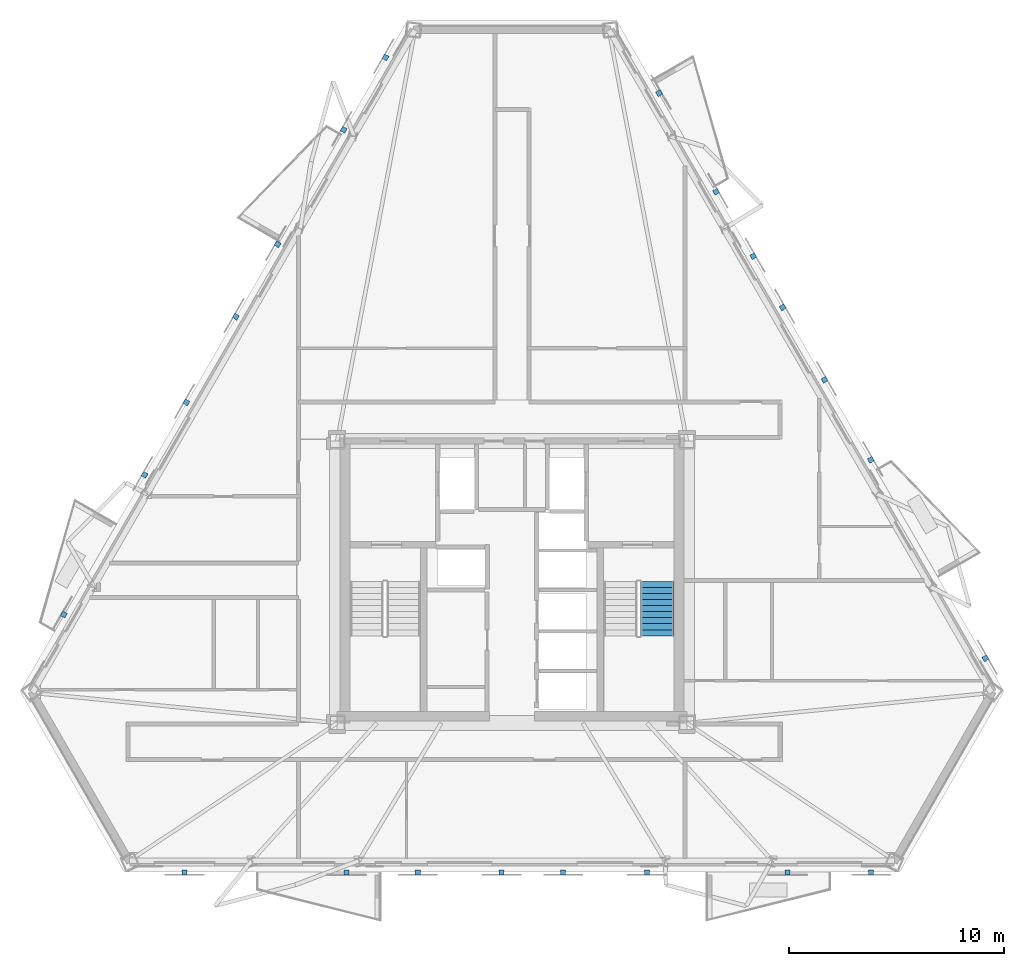
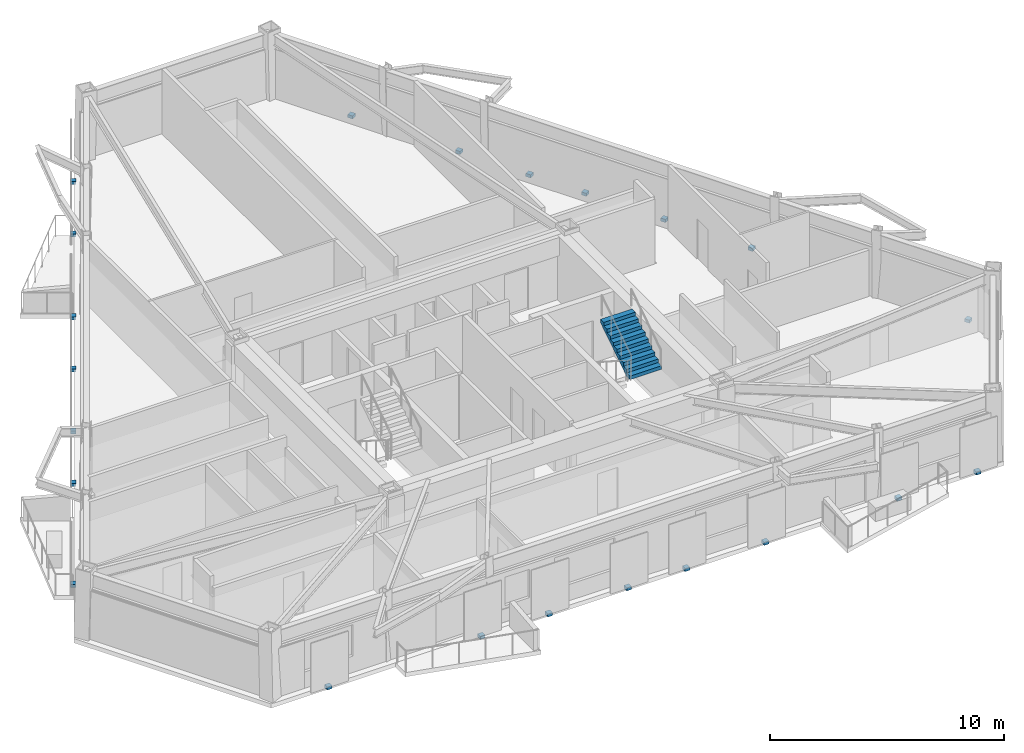
# One storey, part 6 of 9: 22 discrete accessories, 1 stair flight, 1 element without a shape of its own.
"""IFC4 building model written with IfcOpenShell, lengths in metres."""

from ifc_helpers import new_model, si_unit, direction, frame, origin, origin_2d, place, context, subcontext, project, spatial, polyline, rectangle, outline, extrude, material, type_object, element, aggregate, save


model = new_model("IFC4")

# Units and contexts
model_context = context("Model", 3, precision=1e-05, world=origin(), true_north=direction((0.0, 1.0)))
body_context = subcontext(model_context, "Body", "Model", "MODEL_VIEW")
ifc_project = project(units=[si_unit("LENGTHUNIT", "METRE"), si_unit("AREAUNIT", "SQUARE_METRE"), si_unit("VOLUMEUNIT", "CUBIC_METRE"), si_unit("PLANEANGLEUNIT", "RADIAN"), si_unit("MASSUNIT", "GRAM", prefix="KILO")], contexts=[model_context])

# Site, building, storey
site_placement = place(None, origin())
site = spatial("IfcSite", under=ifc_project, at=site_placement, CompositionType="ELEMENT")
building_placement = place(site_placement, origin())
building = spatial("IfcBuilding", under=site, at=building_placement, Name="Oramaril Tower", CompositionType="ELEMENT")
storey_placement = place(building_placement, frame((0.0, 0.0, 156.60009765625)))
storey = spatial("IfcBuildingStorey", under=building, at=storey_placement, Name="L41", CompositionType="ELEMENT", Elevation=156.60009765625)

# Stair, stair flight
ifc_material_1 = material(Name="Concrete C50/60", Category="concrete")
stair_type = type_object("IfcStairType", Name="STT-DG-3600", PredefinedType="HALF_TURN_STAIR", material=ifc_material_1)
stair_placement = place(storey_placement, origin())
stair = element("IfcStair", 1, at=stair_placement, inside=storey, type_object=stair_type, Name="L41 Protected PFP Exit Stair ST-2", PredefinedType="HALF_TURN_STAIR")
ifc_material_2 = material(Name="Concrete C50/60", Category="concrete")
stair_flight_type = type_object("IfcStairFlightType", Name="SFT-DG-3600", PredefinedType="STRAIGHT", material=ifc_material_2)
stair_flight_placement = place(storey_placement, frame((44.27001953125, 15.070068359375, 1.7998046875), z_axis=(0.0, 0.0, 1.0), x_axis=(0.0, 1.0, 0.0)))
stair_flight = element("IfcStairFlight", 2, at=stair_flight_placement, type_object=stair_flight_type, Name="ST-2 flight 2", NumberOfRisers=10, NumberOfTreads=9, PredefinedType="STRAIGHT", RiserHeight=0.18, TreadLength=0.28, context=body_context, shape_type="SweptSolid", body=[
    extrude(outline(polyline([(0.0, 0.0), (0.0, 0.179931640625), (0.280029296875, 0.179931640625), (0.280029296875, 0.360107421875), (0.56005859375, 0.360107421875), (0.56005859375, 0.5400390625), (0.840087890625, 0.5400390625), (0.840087890625, 0.719970703125), (1.1201171875, 0.719970703125), (1.1201171875, 0.89990234375), (1.39990234375, 0.89990234375), (1.39990234375, 1.080078125), (1.679931640625, 1.080078125), (1.679931640625, 1.260009765625), (1.9599609375, 1.260009765625), (1.9599609375, 1.43994140625), (2.239990234375, 1.43994140625), (2.239990234375, 1.6201171875), (2.52001953125, 1.6201171875), (2.52001953125, 1.800048828125), (2.52001953125, 1.44189453125), (0.277099609375, 0.0), (0.0, 0.0)])), frame((0.0, 0.780029296875, 0.0), z_axis=(0.0, -1.0, 0.0), x_axis=(1.0, 0.0, 0.0)), (0.0, 0.0, 1.0), 1.56005859375),
])
aggregate(stair, [stair_flight])

# Discrete accessories
for number, where, z_axis, x_axis, name in (
    (3, (33.1083984375, 4.03076171875, -0.14013671875), (0.0, 0.0, 1.0), (1.0, 0.0, 0.0), "L41 Solar Screen Slab Bracket"),
    (4, (37.008544921875, 4.03076171875, -0.14013671875), (0.0, 0.0, 1.0), (1.0, 0.0, 0.0), "L41 Solar Screen Slab Bracket"),
    (5, (39.88525390625, 4.03076171875, -0.14013671875), (0.0, 0.0, 1.0), (1.0, 0.0, 0.0), "L41 Solar Screen Slab Bracket"),
    (6, (43.785400390625, 4.03076171875, -0.14013671875), (0.0, 0.0, 1.0), (1.0, 0.0, 0.0), "L41 Solar Screen Slab Bracket"),
    (7, (29.787109375, 4.03076171875, -0.14013671875), (0.0, 0.0, 1.0), (1.0, 0.0, 0.0), "L41 Solar Screen Slab Bracket"),
    (8, (22.235595703125, 4.03076171875, -0.14013671875), (0.0, 0.0, 1.0), (1.0, 0.0, 0.0), "L41 Solar Screen Slab Bracket"),
    (9, (50.341796875, 4.03076171875, -0.14013671875), (0.0, 0.0, 1.0), (1.0, 0.0, 0.0), "L41 Solar Screen Slab Bracket"),
    (10, (54.241943359375, 4.03076171875, -0.14013671875), (0.0, 0.0, 1.0), (1.0, 0.0, 0.0), "L41 Solar Screen Slab Bracket"),
    (11, (59.56640625, 14.018310546875, -0.14013671875), (0.0, 0.0, 1.0), (-0.5, 0.866025403784, 0.0), "L41 Solar Screen Slab Bracket"),
    (12, (52.0712890625, 27.00048828125, -0.14013671875), (0.0, 0.0, 1.0), (-0.5, 0.866025403784, 0.0), "L41 Solar Screen Slab Bracket"),
    (13, (50.12109375, 30.3779296875, -0.14013671875), (0.0, 0.0, 1.0), (-0.5, 0.866025403784, 0.0), "L41 Solar Screen Slab Bracket"),
    (14, (48.74609375, 32.759521484375, -0.14013671875), (0.0, 0.0, 1.0), (-0.5, 0.866025403784, 0.0), "L41 Solar Screen Slab Bracket"),
    (15, (54.225341796875, 23.269287109375, -0.14013671875), (0.0, 0.0, 1.0), (-0.5, 0.866025403784, 0.0), "L41 Solar Screen Slab Bracket"),
    (16, (47.011474609375, 35.76416015625, -0.14013671875), (0.0, 0.0, 1.0), (-0.5, 0.866025403784, 0.0), "L41 Solar Screen Slab Bracket"),
    (17, (44.357177734375, 40.36181640625, -0.14013671875), (0.0, 0.0, 1.0), (-0.5, 0.866025403784, 0.0), "L41 Solar Screen Slab Bracket"),
    (18, (16.6123046875, 16.06005859375, -0.14013671875), (0.0, 0.0, 1.0), (-0.5, -0.866025403784, 0.0), "L41 Solar Screen Slab Bracket"),
    (19, (26.576171875, 33.31787109375, -0.14013671875), (0.0, 0.0, 1.0), (-0.5, -0.866025403784, 0.0), "L41 Solar Screen Slab Bracket"),
    (20, (24.626220703125, 29.940185546875, -0.14013671875), (0.0, 0.0, 1.0), (-0.5, -0.866025403784, 0.0), "L41 Solar Screen Slab Bracket"),
    (21, (22.322021484375, 25.94970703125, -0.14013671875), (0.0, 0.0, 1.0), (-0.5, -0.866025403784, 0.0), "L41 Solar Screen Slab Bracket"),
    (22, (20.3720703125, 22.572021484375, -0.14013671875), (0.0, 0.0, 1.0), (-0.5, -0.866025403784, 0.0), "L41 Solar Screen Slab Bracket"),
    (23, (31.60693359375, 42.031494140625, -0.14013671875), (0.0, 0.0, 1.0), (-0.5, -0.866025403784, 0.0), "L41 Solar Screen Slab Bracket"),
    (24, (29.656982421875, 38.654052734375, -0.14013671875), (0.0, 0.0, 1.0), (-0.5, -0.866025403784, 0.0), "L41 Solar Screen Slab Bracket"),
):
    element("IfcDiscreteAccessory", number, at=place(storey_placement, frame(where, z_axis=z_axis, x_axis=x_axis)), inside=storey, Name=name, PredefinedType="BRACKET", context=body_context, shape_type="SweptSolid", body=[
        extrude(rectangle(XDim=0.239990234375, YDim=0.239990234375, at=origin_2d()), origin(), (0.0, 0.0, 1.0), 0.159912109375),
    ])

save(model, "model.ifc")
